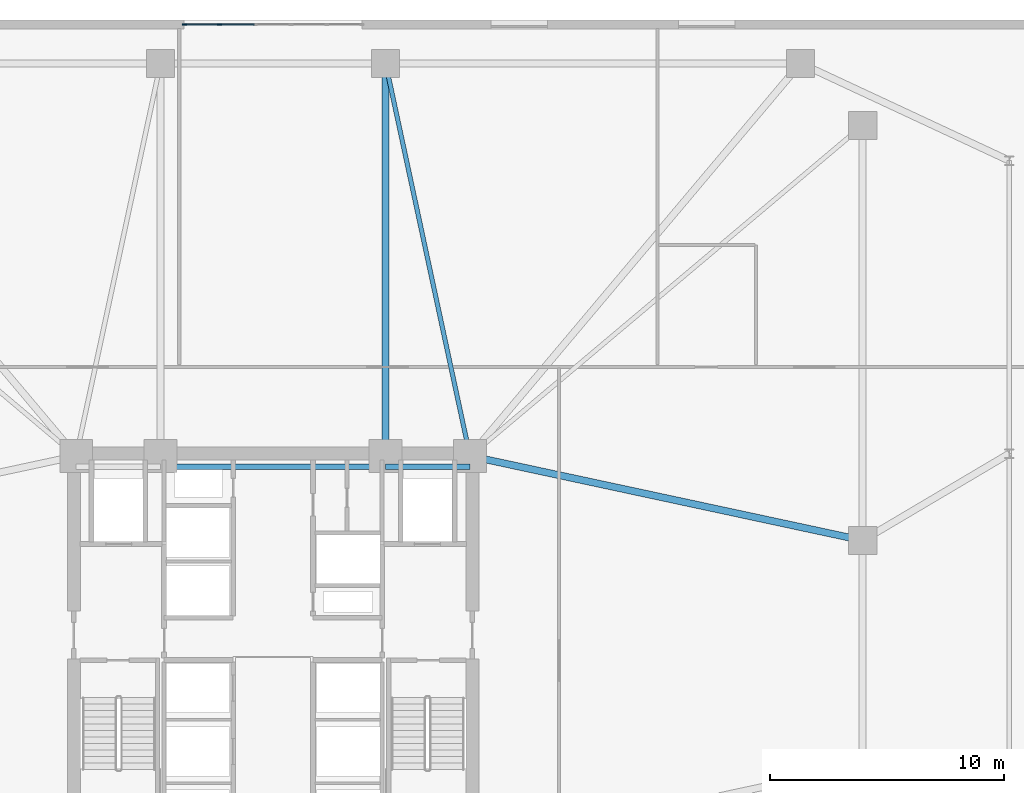
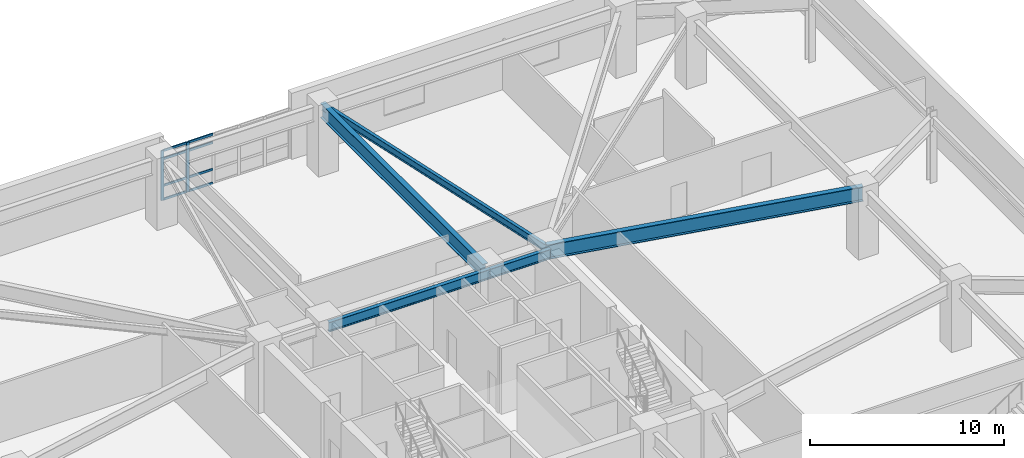
# One storey, part 7 of 21: 10 members, 5 beams, 1 element without a shape of its own.
"""IFC4 building model written with IfcOpenShell, lengths in metres."""

from ifc_helpers import new_model, si_unit, direction, frame, origin, origin_2d, place, context, subcontext, project, spatial, rectangle, i_section, extrude, material, layer, layer_set, material_profile, profile_set, type_object, element, aggregate, save


model = new_model("IFC4")

# Units and contexts
model_context = context("Model", 3, precision=1e-05, world=origin(), true_north=direction((0.0, 1.0)))
body_context = subcontext(model_context, "Body", "Model", "MODEL_VIEW")
ifc_project = project(units=[si_unit("LENGTHUNIT", "METRE"), si_unit("AREAUNIT", "SQUARE_METRE"), si_unit("VOLUMEUNIT", "CUBIC_METRE"), si_unit("PLANEANGLEUNIT", "RADIAN"), si_unit("MASSUNIT", "GRAM", prefix="KILO")], contexts=[model_context])

# Site, building, storey
site_placement = place(None, origin())
site = spatial("IfcSite", under=ifc_project, at=site_placement, CompositionType="ELEMENT")
building_placement = place(site_placement, origin())
building = spatial("IfcBuilding", under=site, at=building_placement, Name="Cairnveth Concourse Tower", CompositionType="ELEMENT")
storey_placement = place(building_placement, frame((0.0, 0.0, 14.5)))
storey = spatial("IfcBuildingStorey", under=building, at=storey_placement, Name="L03", CompositionType="ELEMENT", Elevation=14.5)

# Curtain wall, members
ifc_material_1 = material(Name="Architectural Bronze Anodised Aluminium 6063-T6", Category="aluminium")
ifc_layer = layer(ifc_material_1, 0.340087890625)
ifc_layer_set = layer_set([ifc_layer], Name="Architectural Bronze Anodised Aluminium 6063-T6")
curtain_wall_type = type_object("IfcCurtainWallType", Name="BALLROOM FOYER UNITISED CURTAIN WALL", PredefinedType="USERDEFINED", material=ifc_layer_set)
curtain_wall_placement = place(storey_placement, origin())
curtain_wall = element("IfcCurtainWall", 1, at=curtain_wall_placement, inside=storey, type_object=curtain_wall_type, Name="Curtain Wall CW-L03-N1", ObjectType="UNITISED FACADE", PredefinedType="USERDEFINED")
ifc_material_profile_1 = material_profile(ifc_material_1, rectangle(XDim=0.06494140625, YDim=0.179931640625, at=origin_2d()), Name="AL-MUL-65x180")
ifc_profile_set_1 = profile_set([ifc_material_profile_1], Name="Architectural Bronze Anodised Aluminium 6063-T6")
member_type_1 = type_object("IfcMemberType", Name="BRONZE CURTAIN WALL MULLION AL-MUL-65x180", PredefinedType="MULLION", material=ifc_profile_set_1)
member_1_placement = place(storey_placement, frame((48.217529296875, 65.81005859375, 0.0), z_axis=(0.0, 0.0, 1.0), x_axis=(0.0, 1.0, 0.0)))
member_1 = element("IfcMember", 2, at=member_1_placement, type_object=member_type_1, Name="CWS3 mullion 1", PredefinedType="MULLION", context=body_context, shape_type="SweptSolid", body=[
    extrude(rectangle(XDim=0.06494140625, YDim=0.179931640625, at=origin_2d()), origin(), (0.0, 0.0, 1.0), 3.1259765625),
])
member_2_placement = place(storey_placement, frame((49.7109375, 65.81005859375, 0.0), z_axis=(0.0, 0.0, 1.0), x_axis=(0.0, 1.0, 0.0)))
member_2 = element("IfcMember", 3, at=member_2_placement, type_object=member_type_1, Name="CWS3 mullion 2", PredefinedType="MULLION", context=body_context, shape_type="SweptSolid", body=[
    extrude(rectangle(XDim=0.06494140625, YDim=0.179931640625, at=origin_2d()), origin(), (0.0, 0.0, 1.0), 3.1259765625),
])
ifc_material_profile_2 = material_profile(ifc_material_1, rectangle(XDim=0.06494140625, YDim=0.139892578125, at=origin_2d()), Name="AL-TRN-65x140")
ifc_profile_set_2 = profile_set([ifc_material_profile_2], Name="Architectural Bronze Anodised Aluminium 6063-T6")
member_type_2 = type_object("IfcMemberType", Name="BRONZE CURTAIN WALL TRANSOM AL-TRN-65x140", PredefinedType="USERDEFINED", material=ifc_profile_set_2)
member_3_placement = place(storey_placement, frame((48.25, 65.81005859375, 0.032470703125), z_axis=(1.0, 0.0, 0.0), x_axis=(0.0, 1.0, 0.0)))
member_3 = element("IfcMember", 4, at=member_3_placement, type_object=member_type_2, Name="CWS3 transom 1.1", ObjectType="TRANSOM", PredefinedType="USERDEFINED", context=body_context, shape_type="SweptSolid", body=[
    extrude(rectangle(XDim=0.06494140625, YDim=0.139892578125, at=origin_2d()), origin(), (0.0, 0.0, 1.0), 1.428466796875),
])
member_4_placement = place(storey_placement, frame((48.25, 65.81005859375, 0.89990234375), z_axis=(1.0, 0.0, 0.0), x_axis=(0.0, 1.0, 0.0)))
member_4 = element("IfcMember", 5, at=member_4_placement, type_object=member_type_2, Name="CWS3 transom 1.2", ObjectType="TRANSOM", PredefinedType="USERDEFINED", context=body_context, shape_type="SweptSolid", body=[
    extrude(rectangle(XDim=0.06494140625, YDim=0.139892578125, at=origin_2d()), origin(), (0.0, 0.0, 1.0), 1.428466796875),
])
member_5_placement = place(storey_placement, frame((48.25, 65.81005859375, 2.575927734375), z_axis=(1.0, 0.0, 0.0), x_axis=(0.0, 1.0, 0.0)))
member_5 = element("IfcMember", 6, at=member_5_placement, type_object=member_type_2, Name="CWS3 transom 1.3", ObjectType="TRANSOM", PredefinedType="USERDEFINED", context=body_context, shape_type="SweptSolid", body=[
    extrude(rectangle(XDim=0.06494140625, YDim=0.139892578125, at=origin_2d()), origin(), (0.0, 0.0, 1.0), 1.428466796875),
])
member_6_placement = place(storey_placement, frame((48.25, 65.81005859375, 3.093505859375), z_axis=(1.0, 0.0, 0.0), x_axis=(0.0, 1.0, 0.0)))
member_6 = element("IfcMember", 7, at=member_6_placement, type_object=member_type_2, Name="CWS3 transom 1.4", ObjectType="TRANSOM", PredefinedType="USERDEFINED", context=body_context, shape_type="SweptSolid", body=[
    extrude(rectangle(XDim=0.06494140625, YDim=0.139892578125, at=origin_2d()), origin(), (0.0, 0.0, 1.0), 1.428466796875),
])
member_7_placement = place(storey_placement, frame((49.743408203125, 65.81005859375, 0.032470703125), z_axis=(1.0, 0.0, 0.0), x_axis=(0.0, 1.0, 0.0)))
member_7 = element("IfcMember", 8, at=member_7_placement, type_object=member_type_2, Name="CWS3 transom 2.1", ObjectType="TRANSOM", PredefinedType="USERDEFINED", context=body_context, shape_type="SweptSolid", body=[
    extrude(rectangle(XDim=0.06494140625, YDim=0.139892578125, at=origin_2d()), origin(), (0.0, 0.0, 1.0), 1.461181640625),
])
member_8_placement = place(storey_placement, frame((49.743408203125, 65.81005859375, 0.89990234375), z_axis=(1.0, 0.0, 0.0), x_axis=(0.0, 1.0, 0.0)))
member_8 = element("IfcMember", 9, at=member_8_placement, type_object=member_type_2, Name="CWS3 transom 2.2", ObjectType="TRANSOM", PredefinedType="USERDEFINED", context=body_context, shape_type="SweptSolid", body=[
    extrude(rectangle(XDim=0.06494140625, YDim=0.139892578125, at=origin_2d()), origin(), (0.0, 0.0, 1.0), 1.461181640625),
])
member_9_placement = place(storey_placement, frame((49.743408203125, 65.81005859375, 2.575927734375), z_axis=(1.0, 0.0, 0.0), x_axis=(0.0, 1.0, 0.0)))
member_9 = element("IfcMember", 10, at=member_9_placement, type_object=member_type_2, Name="CWS3 transom 2.3", ObjectType="TRANSOM", PredefinedType="USERDEFINED", context=body_context, shape_type="SweptSolid", body=[
    extrude(rectangle(XDim=0.06494140625, YDim=0.139892578125, at=origin_2d()), origin(), (0.0, 0.0, 1.0), 1.461181640625),
])
member_10_placement = place(storey_placement, frame((49.743408203125, 65.81005859375, 3.093505859375), z_axis=(1.0, 0.0, 0.0), x_axis=(0.0, 1.0, 0.0)))
member_10 = element("IfcMember", 11, at=member_10_placement, type_object=member_type_2, Name="CWS3 transom 2.4", ObjectType="TRANSOM", PredefinedType="USERDEFINED", context=body_context, shape_type="SweptSolid", body=[
    extrude(rectangle(XDim=0.06494140625, YDim=0.139892578125, at=origin_2d()), origin(), (0.0, 0.0, 1.0), 1.461181640625),
])
aggregate(curtain_wall, [member_1, member_2, member_3, member_4, member_5, member_6, member_7, member_8, member_9, member_10])

# Beams
ifc_material_2 = material(Name="Steel Grade 350", Category="steel")
ifc_material_profile_3 = material_profile(ifc_material_2, i_section(OverallWidth=0.22802734375, OverallDepth=0.60693359375, WebThickness=0.01123046875, FlangeThickness=0.017333984375, FilletRadius=0.013916015625, at=origin_2d()), Name="610UB113")
ifc_profile_set_3 = profile_set([ifc_material_profile_3], Name="Steel Grade 350")
beam_type_1 = type_object("IfcBeamType", Name="CORE TIE BEAM 610UB113", PredefinedType="T_BEAM", material=ifc_profile_set_3)
beam_1_placement = place(storey_placement, frame((56.800048828125, 46.949951171875, 3.846435546875), z_axis=(1.0, 0.0, 0.0), x_axis=(0.0, 1.0, 0.0)))
element("IfcBeam", 12, at=beam_1_placement, inside=storey, type_object=beam_type_1, Name="Beam CT-N3 L03", PredefinedType="T_BEAM", context=body_context, shape_type="SweptSolid", body=[
    extrude(i_section(OverallWidth=0.22802734375, OverallDepth=0.60693359375, WebThickness=0.01123046875, FlangeThickness=0.017333984375, FilletRadius=0.013916015625, at=origin_2d()), origin(), (0.0, 0.0, 1.0), 3.599853515625),
])
beam_2_placement = place(storey_placement, frame((47.199951171875, 46.949951171875, 3.846435546875), z_axis=(1.0, 0.0, 0.0), x_axis=(0.0, 1.0, 0.0)))
element("IfcBeam", 13, at=beam_2_placement, inside=storey, type_object=beam_type_1, Name="Beam CT-N2 L03", PredefinedType="T_BEAM", context=body_context, shape_type="SweptSolid", body=[
    extrude(i_section(OverallWidth=0.22802734375, OverallDepth=0.60693359375, WebThickness=0.01123046875, FlangeThickness=0.017333984375, FilletRadius=0.013916015625, at=origin_2d()), origin(), (0.0, 0.0, 1.0), 9.60009765625),
])
ifc_material_profile_4 = material_profile(ifc_material_2, i_section(OverallWidth=0.18994140625, OverallDepth=0.45703125, WebThickness=0.009033203125, FlangeThickness=0.014404296875, FilletRadius=0.010986328125, at=origin_2d()), Name="460UB74.6")
ifc_profile_set_4 = profile_set([ifc_material_profile_4], Name="Steel Grade 350")
beam_type_2 = type_object("IfcBeamType", Name="PODIUM FLOOR JOIST 460UB74.6", PredefinedType="JOIST", material=ifc_profile_set_4)
beam_3_placement = place(storey_placement, frame((60.39990234375, 47.39990234375, 3.92138671875), z_axis=(-0.210118799239, 0.977675861524, 0.0), x_axis=(-0.977675861524, -0.210118799239, 0.0)))
element("IfcBeam", 14, at=beam_3_placement, inside=storey, type_object=beam_type_2, Name="Beam PJ-N-X2 L03", PredefinedType="JOIST", context=body_context, shape_type="SweptSolid", body=[
    extrude(i_section(OverallWidth=0.18994140625, OverallDepth=0.45703125, WebThickness=0.009033203125, FlangeThickness=0.014404296875, FilletRadius=0.010986328125, at=origin_2d()), origin(), (0.0, 0.0, 1.0), 17.132568359375),
])
ifc_material_profile_5 = material_profile(ifc_material_2, i_section(OverallWidth=0.300048828125, OverallDepth=0.924072265625, WebThickness=0.013916015625, FlangeThickness=0.031982421875, at=origin_2d()), Name="900WB257")
ifc_profile_set_5 = profile_set([ifc_material_profile_5], Name="Steel Grade 350")
beam_type_3 = type_object("IfcBeamType", Name="PODIUM PRIMARY GIRDER 900WB257", PredefinedType="BEAM", material=ifc_profile_set_5)
beam_4_placement = place(storey_placement, frame((60.39990234375, 47.39990234375, 3.68798828125), z_axis=(0.977675861524, -0.210118799239, 0.0), x_axis=(0.210118799239, 0.977675861524, 0.0)))
element("IfcBeam", 15, at=beam_4_placement, inside=storey, type_object=beam_type_3, Name="Beam PG-E2 L03", PredefinedType="BEAM", context=body_context, shape_type="SweptSolid", body=[
    extrude(i_section(OverallWidth=0.300048828125, OverallDepth=0.924072265625, WebThickness=0.013916015625, FlangeThickness=0.031982421875, at=origin_2d()), origin(), (0.0, 0.0, 1.0), 17.132568359375),
])
beam_5_placement = place(storey_placement, frame((56.800048828125, 47.39990234375, 3.68798828125), z_axis=(0.0, 1.0, 0.0), x_axis=(-1.0, 0.0, 0.0)))
element("IfcBeam", 16, at=beam_5_placement, inside=storey, type_object=beam_type_3, Name="Beam PG-N2 L03", PredefinedType="BEAM", context=body_context, shape_type="SweptSolid", body=[
    extrude(i_section(OverallWidth=0.300048828125, OverallDepth=0.924072265625, WebThickness=0.013916015625, FlangeThickness=0.031982421875, at=origin_2d()), origin(), (0.0, 0.0, 1.0), 16.75),
])

save(model, "model.ifc")
